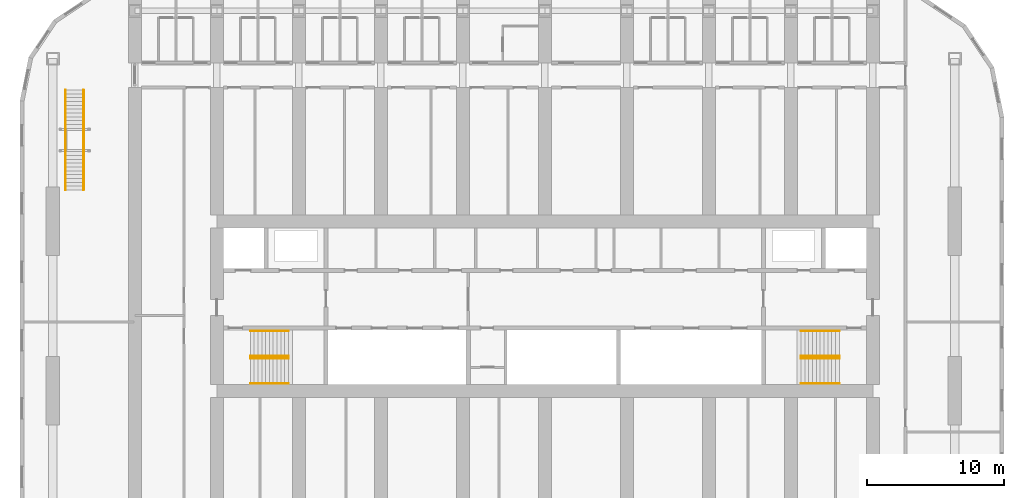
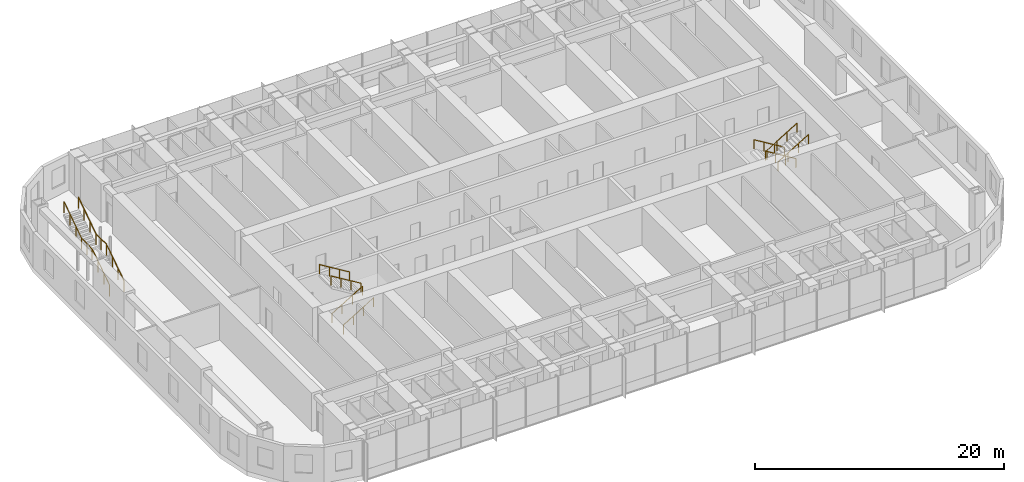
# One storey, part 26 of 26: 10 railings.
"""IFC4 building model written with IfcOpenShell, lengths in metres."""

import ifcopenshell
import ifcopenshell.guid

model = None  # the IFC model being written
_history = None  # IfcOwnerHistory: only IFC2X3 demands one
_inside = {}  # id of a spatial element -> (the spatial element, [elements in it])
_under = {}  # id of a project, library or spatial element -> (it, [spatial elements below it])
_declared = {}  # id of a project -> (the project, [libraries it declares])
_typed = {}  # id of a type object -> (the type object, [elements of that type])
_made_of = {}  # id of a material, layer set ... -> (it, [elements and type objects made of it])


def new_model(schema):
    """Start an empty IFC model of exactly this schema.

    Asked for "IFC4X3", IfcOpenShell would pick the latest addendum, in which some entities
    have other attributes; the version numbers below select the first issue.
    IFC2X3 requires an IfcOwnerHistory on every rooted entity: one is made here for all.
    """
    global model, _history
    if schema == "IFC4X3":
        model = ifcopenshell.file(schema_version=(4, 3, 0, 0))
    else:
        model = ifcopenshell.file(schema=schema)
    _inside.clear()
    _under.clear()
    _declared.clear()
    _typed.clear()
    _made_of.clear()
    _history = None
    if model.schema == "IFC2X3":
        org = make("IfcOrganization", Name="unknown")
        user = make(
            "IfcPersonAndOrganization",
            ThePerson=make("IfcPerson", FamilyName="unknown"),
            TheOrganization=org,
        )
        app = make(
            "IfcApplication",
            ApplicationDeveloper=org,
            Version="unknown",
            ApplicationFullName="unknown",
            ApplicationIdentifier="unknown",
        )
        _history = make(
            "IfcOwnerHistory",
            OwningUser=user,
            OwningApplication=app,
            ChangeAction="ADDED",
            CreationDate=0,
        )
    return model


def make(cls, **values):
    """One entity of the class cls with the attributes given. An attribute that is None is left unset."""
    return model.create_entity(
        cls, **{name: value for name, value in values.items() if value is not None}
    )


def rooted(cls, **values):
    """An entity with a GlobalId (a new one), such as an element, a storey or a relation."""
    return make(cls, GlobalId=ifcopenshell.guid.new(), OwnerHistory=_history, **values)


def si_unit(unit_type, name, prefix=None):
    """IfcSIUnit, for example si_unit("LENGTHUNIT", "METRE", prefix="MILLI")."""
    return make("IfcSIUnit", UnitType=unit_type, Prefix=prefix, Name=name)


def assignment(units):
    """IfcUnitAssignment: the units of a project."""
    return None if units is None else make("IfcUnitAssignment", Units=units)


def point(xyz):
    """IfcCartesianPoint."""
    return None if xyz is None else make("IfcCartesianPoint", Coordinates=xyz)


def direction(xyz):
    """IfcDirection."""
    return None if xyz is None else make("IfcDirection", DirectionRatios=xyz)


def frame(location, z_axis=None, x_axis=None):
    """IfcAxis2Placement3D, a coordinate frame: its origin and axes. An axis left out is left unset."""
    return make(
        "IfcAxis2Placement3D",
        Location=point(location),
        Axis=direction(z_axis),
        RefDirection=direction(x_axis),
    )


def frame_2d(location, x_axis=None):
    """IfcAxis2Placement2D, a coordinate frame in the plane: its origin and x axis."""
    return make(
        "IfcAxis2Placement2D", Location=point(location), RefDirection=direction(x_axis)
    )


def origin():
    """The frame at (0, 0, 0) with its axes left unset."""
    return frame((0.0, 0.0, 0.0))


def origin_2d():
    """The frame at (0, 0) in the plane with its x axis left unset."""
    return frame_2d((0.0, 0.0))


def place(relative_to, where):
    """IfcLocalPlacement: puts the frame where relative to a parent placement (None: the world)."""
    return make(
        "IfcLocalPlacement", PlacementRelTo=relative_to, RelativePlacement=where
    )


def context(
    kind, dimensions, precision=None, world=None, true_north=None, identifier=None
):
    """IfcGeometricRepresentationContext, for example the 3D "Model" context."""
    return make(
        "IfcGeometricRepresentationContext",
        ContextIdentifier=identifier,
        ContextType=kind,
        CoordinateSpaceDimension=dimensions,
        Precision=precision,
        WorldCoordinateSystem=world,
        TrueNorth=true_north,
    )


def subcontext(parent, identifier, kind, view, scale=None):
    """IfcGeometricRepresentationSubContext, for example "Body" below "Model"."""
    return make(
        "IfcGeometricRepresentationSubContext",
        ContextIdentifier=identifier,
        ContextType=kind,
        ParentContext=parent,
        TargetScale=scale,
        TargetView=view,
    )


def project(units=None, contexts=None):
    """IfcProject with its units and contexts."""
    return rooted(
        "IfcProject",
        Name="project",
        RepresentationContexts=contexts,
        UnitsInContext=assignment(units),
    )


def spatial(cls, under=None, at=None, **own):
    """A site, building, storey or space (cls), placed at a placement, below another one or the project."""
    s = rooted(cls, ObjectPlacement=at, **own)
    if under is not None:
        _under.setdefault(under.id(), (under, []))[1].append(s)
    return s


def profile(cls, at=None, kind="AREA", **sizes):
    """A parametric profile (cls). Its sizes go by their IFC names, for example OverallWidth=200.0."""
    return make(cls, ProfileType=kind, Position=at, **sizes)


def circle(**sizes):
    """IfcCircleProfileDef."""
    return profile("IfcCircleProfileDef", **sizes)


def extrude(swept, where, along, depth):
    """IfcExtrudedAreaSolid: the profile swept, set in the frame where, extruded along a direction by depth."""
    return make(
        "IfcExtrudedAreaSolid",
        SweptArea=swept,
        Position=where,
        ExtrudedDirection=direction(along),
        Depth=depth,
    )


def shape(context_of_items, identifier, shape_type, items):
    """IfcShapeRepresentation: the items that make up one representation, for example the "Body"."""
    return make(
        "IfcShapeRepresentation",
        ContextOfItems=context_of_items,
        RepresentationIdentifier=identifier,
        RepresentationType=shape_type,
        Items=items,
    )


def material(Name=None, Category=None):
    """IfcMaterial."""
    return make("IfcMaterial", Name=Name, Category=Category)


def made_of(thing, what):
    """Note that an element or type object is made of a material, layer set ...; save() writes the relation."""
    if what is not None:
        _made_of.setdefault(what.id(), (what, []))[1].append(thing)
    return thing


def type_object(cls, material=None, **own):
    """A type object (cls), such as IfcWallType, which elements share."""
    return made_of(rooted(cls, **own), material)


def element(
    cls,
    number,
    at=None,
    inside=None,
    cuts=None,
    type_object=None,
    material=None,
    context=None,
    identifier="Body",
    shape_type=None,
    held_by="IfcProductDefinitionShape",
    body=None,
    shapes=None,
    **own,
):
    """One element of the class cls, such as IfcWall. Its Tag is "e" and its number.

    at: its placement. inside: the storey or other place that contains it. cuts: it is an
    opening in that element (IfcRelVoidsElement). A single representation is given by context,
    identifier, shape_type and body (its items); several are given by shapes. held_by: the class
    of the entity that holds the representations. save() writes the other relations.
    """
    e = rooted(cls, Tag="e%d" % number, ObjectPlacement=at, **own)
    if body is not None:
        shapes = [shape(context, identifier, shape_type, body)]
    if shapes is not None:
        e.Representation = make(held_by, Representations=shapes)
    if inside is not None:
        _inside.setdefault(inside.id(), (inside, []))[1].append(e)
    if cuts is not None:
        rooted(
            "IfcRelVoidsElement", RelatingBuildingElement=cuts, RelatedOpeningElement=e
        )
    if type_object is not None:
        _typed.setdefault(type_object.id(), (type_object, []))[1].append(e)
    return made_of(e, material)


def aggregate(whole, parts):
    """IfcRelAggregates: a whole, such as a stair, and the parts it consists of."""
    return rooted("IfcRelAggregates", RelatingObject=whole, RelatedObjects=parts)


def save(model, path):
    """Write the relations noted so far, then the file.

    IfcRelAggregates (storeys below a building ...), IfcRelContainedInSpatialStructure (elements
    in a storey), IfcRelDefinesByType, IfcRelAssociatesMaterial and IfcRelDeclares: one each for
    every whole, place, type object, material and project.
    """
    for whole, parts in _under.values():
        aggregate(whole, parts)
    for where, things in _inside.values():
        rooted(
            "IfcRelContainedInSpatialStructure",
            RelatedElements=things,
            RelatingStructure=where,
        )
    for kind, things in _typed.values():
        rooted("IfcRelDefinesByType", RelatedObjects=things, RelatingType=kind)
    for what, things in _made_of.values():
        rooted("IfcRelAssociatesMaterial", RelatedObjects=things, RelatingMaterial=what)
    for by, libraries in _declared.values():
        rooted("IfcRelDeclares", RelatingContext=by, RelatedDefinitions=libraries)
    model.write(path)


model = new_model("IFC4")

# Units and contexts
model_context = context("Model", 3, precision=1e-05, world=origin(), true_north=direction((0.0, 1.0)))
body_context = subcontext(model_context, "Body", "Model", "MODEL_VIEW")
ifc_project = project(units=[si_unit("LENGTHUNIT", "METRE"), si_unit("AREAUNIT", "SQUARE_METRE"), si_unit("VOLUMEUNIT", "CUBIC_METRE"), si_unit("PLANEANGLEUNIT", "RADIAN"), si_unit("MASSUNIT", "GRAM", prefix="KILO")], contexts=[model_context])

# Site, building, storey
site_placement = place(None, origin())
site = spatial("IfcSite", under=ifc_project, at=site_placement, CompositionType="ELEMENT")
building_placement = place(site_placement, origin())
building = spatial("IfcBuilding", under=site, at=building_placement, Name="Orbita Commons", CompositionType="ELEMENT")
storey_placement = place(building_placement, frame((0.0, 0.0, 114.39990234375)))
storey = spatial("IfcBuildingStorey", under=building, at=storey_placement, Name="L28", CompositionType="ELEMENT", Elevation=114.39990234375)

# Railings
ifc_material_1 = material(Name="Laminated glass, steel handrail", Category="steel")
railing_type_1 = type_object("IfcRailingType", Name="Feature stair balustrade, glass on steel stringer 1100", PredefinedType="BALUSTRADE", material=ifc_material_1)
for number, where, name in (
    (1, (6.93994140625, 40.5, 0.0), "Neighbourhood stair L28 to L29 balustrade L"),
    (2, (8.260009765625, 40.5, 0.0), "Neighbourhood stair L28 to L29 balustrade R"),
):
    element("IfcRailing", number, at=place(storey_placement, frame(where)), inside=storey, type_object=railing_type_1, Name=name, PredefinedType="BALUSTRADE", context=body_context, shape_type="SweptSolid", body=[
        extrude(circle(Radius=0.02490234375, at=origin_2d()), frame((0.0, 0.0, 1.0751953125), z_axis=(0.0, 0.830911662861, 0.55640435703), x_axis=(-1.0, 0.0, 0.0)), (0.0, 0.0, 1.0), 3.369873046875),
        extrude(circle(Radius=0.02490234375, at=origin_2d()), frame((0.0, 2.800048828125, 2.9501953125), z_axis=(0.0, 1.0, 0.0), x_axis=(-1.0, 0.0, 0.0)), (0.0, 0.0, 1.0), 1.7099609375),
        extrude(circle(Radius=0.02490234375, at=origin_2d()), frame((0.0, 4.510009765625, 2.9501953125), z_axis=(0.0, 0.830911662861, 0.55640435703), x_axis=(-1.0, 0.0, 0.0)), (0.0, 0.0, 1.0), 3.369873046875),
        extrude(circle(Radius=0.02001953125, at=origin_2d()), origin(), (0.0, 0.0, 1.0), 1.050048828125),
        extrude(circle(Radius=0.02001953125, at=origin_2d()), frame((0.0, 0.933349609375, 0.625)), (0.0, 0.0, 1.0), 1.050048828125),
        extrude(circle(Radius=0.02001953125, at=origin_2d()), frame((0.0, 1.86669921875, 1.25)), (0.0, 0.0, 1.0), 1.050048828125),
        extrude(circle(Radius=0.02001953125, at=origin_2d()), frame((0.0, 2.800048828125, 1.875)), (0.0, 0.0, 1.0), 1.050048828125),
        extrude(circle(Radius=0.02001953125, at=origin_2d()), frame((0.0, 3.655029296875, 1.875)), (0.0, 0.0, 1.0), 1.050048828125),
        extrude(circle(Radius=0.02001953125, at=origin_2d()), frame((0.0, 4.510009765625, 1.875)), (0.0, 0.0, 1.0), 1.050048828125),
        extrude(circle(Radius=0.02001953125, at=origin_2d()), frame((0.0, 5.443359375, 2.5)), (0.0, 0.0, 1.0), 1.050048828125),
        extrude(circle(Radius=0.02001953125, at=origin_2d()), frame((0.0, 6.376708984375, 3.125)), (0.0, 0.0, 1.0), 1.050048828125),
        extrude(circle(Radius=0.02001953125, at=origin_2d()), frame((0.0, 7.31005859375, 3.75)), (0.0, 0.0, 1.0), 1.050048828125),
    ])
ifc_material_2 = material(Name="Steel tube, painted", Category="steel")
railing_type_2 = type_object("IfcRailingType", Name="Stair handrail steel tube 900", PredefinedType="HANDRAIL", material=ifc_material_2)
for number, where, name in (
    (3, (20.449951171875, 28.1650390625, 0.170654296875), "Stair S1 handrail L28 flight 1"),
    (4, (20.449951171875, 26.3349609375, 0.170654296875), "Stair S1 handrail L28 flight 1"),
):
    element("IfcRailing", number, at=place(storey_placement, frame(where)), inside=storey, type_object=railing_type_2, Name=name, PredefinedType="HANDRAIL", context=body_context, shape_type="SweptSolid", body=[
        extrude(circle(Radius=0.02099609375, at=origin_2d()), frame((0.0, 0.0, 0.87890625), z_axis=(0.854202870247, 0.0, 0.519939858505), x_axis=(0.0, 1.0, 0.0)), (0.0, 0.0, 1.0), 3.278076171875),
        extrude(circle(Radius=0.02001953125, at=origin_2d()), origin(), (0.0, 0.0, 1.0), 0.85791015625),
        extrude(circle(Radius=0.02001953125, at=origin_2d()), frame((0.933349609375, 0.0, 0.568115234375)), (0.0, 0.0, 1.0), 0.85791015625),
        extrude(circle(Radius=0.02001953125, at=origin_2d()), frame((1.86669921875, 0.0, 1.13623046875)), (0.0, 0.0, 1.0), 0.85791015625),
        extrude(circle(Radius=0.02001953125, at=origin_2d()), frame((2.800048828125, 0.0, 1.704345703125)), (0.0, 0.0, 1.0), 0.85791015625),
    ])
for number, where, name in (
    (5, (23.25, 28.360107421875, 2.045654296875), "Stair S1 handrail L28 flight 2"),
    (6, (23.25, 30.18994140625, 2.045654296875), "Stair S1 handrail L28 flight 2"),
    (7, (63.550048828125, 28.360107421875, 0.170654296875), "Stair S2 handrail L28 flight 1"),
    (8, (63.550048828125, 30.18994140625, 0.170654296875), "Stair S2 handrail L28 flight 1"),
):
    element("IfcRailing", number, at=place(storey_placement, frame(where)), inside=storey, type_object=railing_type_2, Name=name, PredefinedType="HANDRAIL", context=body_context, shape_type="SweptSolid", body=[
        extrude(circle(Radius=0.02099609375, at=origin_2d()), frame((0.0, 0.0, 0.87890625), z_axis=(-0.854202870247, 0.0, 0.519939858505), x_axis=(0.0, -1.0, 0.0)), (0.0, 0.0, 1.0), 3.278076171875),
        extrude(circle(Radius=0.02001953125, at=origin_2d()), origin(), (0.0, 0.0, 1.0), 0.85791015625),
        extrude(circle(Radius=0.02001953125, at=origin_2d()), frame((-0.933349609375, 0.0, 0.568115234375)), (0.0, 0.0, 1.0), 0.85791015625),
        extrude(circle(Radius=0.02001953125, at=origin_2d()), frame((-1.86669921875, 0.0, 1.13623046875)), (0.0, 0.0, 1.0), 0.85791015625),
        extrude(circle(Radius=0.02001953125, at=origin_2d()), frame((-2.800048828125, 0.0, 1.704345703125)), (0.0, 0.0, 1.0), 0.85791015625),
    ])
for number, where, name in (
    (9, (60.75, 28.1650390625, 2.045654296875), "Stair S2 handrail L28 flight 2"),
    (10, (60.75, 26.3349609375, 2.045654296875), "Stair S2 handrail L28 flight 2"),
):
    element("IfcRailing", number, at=place(storey_placement, frame(where)), inside=storey, type_object=railing_type_2, Name=name, PredefinedType="HANDRAIL", context=body_context, shape_type="SweptSolid", body=[
        extrude(circle(Radius=0.02099609375, at=origin_2d()), frame((0.0, 0.0, 0.87890625), z_axis=(0.854202870247, 0.0, 0.519939858505), x_axis=(0.0, 1.0, 0.0)), (0.0, 0.0, 1.0), 3.278076171875),
        extrude(circle(Radius=0.02001953125, at=origin_2d()), origin(), (0.0, 0.0, 1.0), 0.85791015625),
        extrude(circle(Radius=0.02001953125, at=origin_2d()), frame((0.933349609375, 0.0, 0.568115234375)), (0.0, 0.0, 1.0), 0.85791015625),
        extrude(circle(Radius=0.02001953125, at=origin_2d()), frame((1.86669921875, 0.0, 1.13623046875)), (0.0, 0.0, 1.0), 0.85791015625),
        extrude(circle(Radius=0.02001953125, at=origin_2d()), frame((2.800048828125, 0.0, 1.704345703125)), (0.0, 0.0, 1.0), 0.85791015625),
    ])

save(model, "model.ifc")
